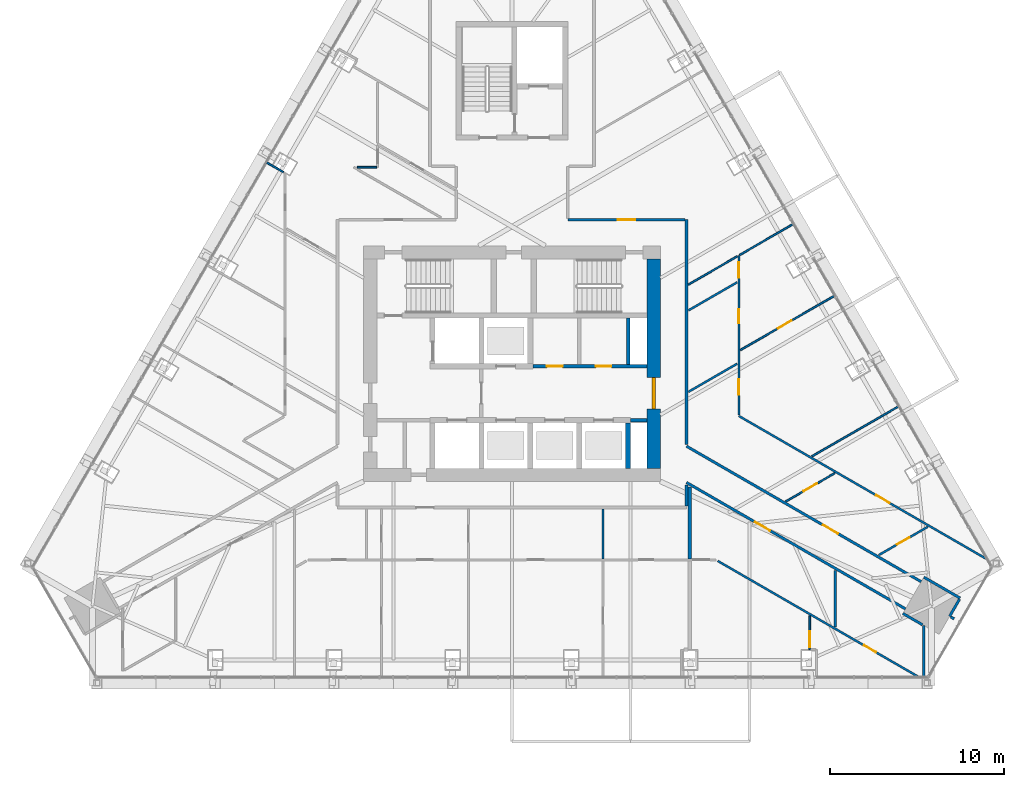
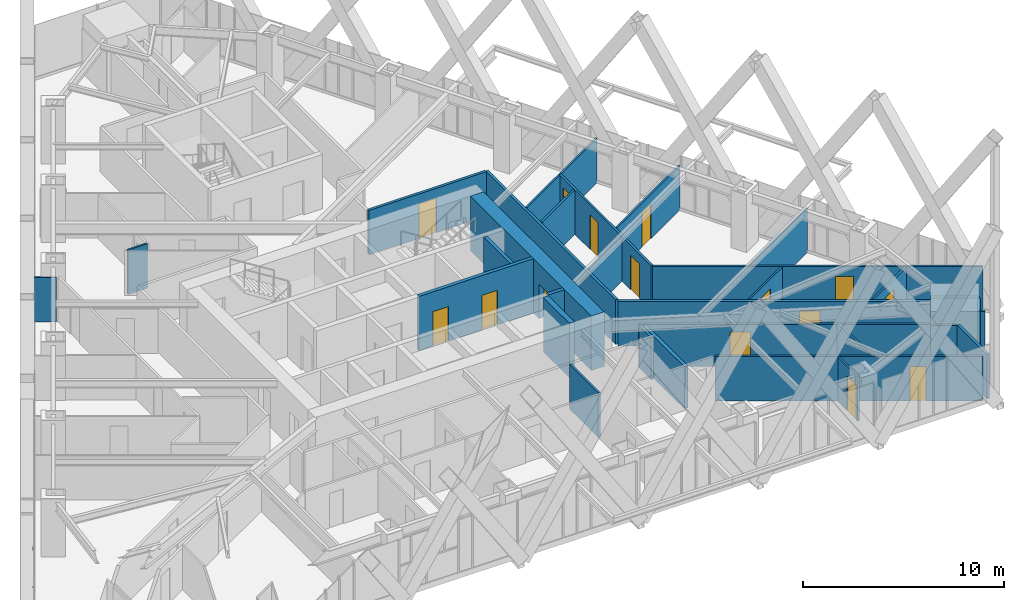
# One storey, part 20 of 24: 32 walls, 15 doors, 15 openings.
"""IFC4 building model written with IfcOpenShell, lengths in metres."""

from ifc_helpers import new_model, si_unit, direction, frame, frame_2d, origin, place, context, subcontext, project, spatial, rectangle, extrude, material, layer, layer_set, type_object, element, fill, save


model = new_model("IFC4")

# Units and contexts
model_context = context("Model", 3, precision=1e-05, world=origin(), true_north=direction((0.0, 1.0)))
body_context = subcontext(model_context, "Body", "Model", "MODEL_VIEW")
ifc_project = project(units=[si_unit("LENGTHUNIT", "METRE"), si_unit("AREAUNIT", "SQUARE_METRE"), si_unit("VOLUMEUNIT", "CUBIC_METRE"), si_unit("PLANEANGLEUNIT", "RADIAN"), si_unit("MASSUNIT", "GRAM", prefix="KILO")], contexts=[model_context])

# Site, building, storey
site_placement = place(None, origin())
site = spatial("IfcSite", under=ifc_project, at=site_placement, CompositionType="ELEMENT")
building_placement = place(site_placement, origin())
building = spatial("IfcBuilding", under=site, at=building_placement, Name="Firuza Gate Tower and Library", CompositionType="ELEMENT")
storey_placement = place(building_placement, frame((0.0, 0.0, 260.10009765625)))
storey = spatial("IfcBuildingStorey", under=building, at=storey_placement, Name="L61", CompositionType="ELEMENT", Elevation=260.10009765625)

# Wall
ifc_material_1 = material(Name="Plasterboard on steel studs", Category="steel")
ifc_layer_1 = layer(ifc_material_1, 0.199951171875)
ifc_layer_set_1 = layer_set([ifc_layer_1], Name="Core partition 200 EI 120")
wall_type_1 = type_object("IfcWallType", Name="Core partition 200 EI 120", PredefinedType="PARTITIONING", material=ifc_layer_set_1)
wall_1_placement = place(storey_placement, frame((81.800048828125, 71.75, 0.0), z_axis=(0.0, 0.0, 1.0), x_axis=(1.0, 0.0, 0.0)))
element("IfcWall", 1, at=wall_1_placement, inside=storey, type_object=wall_type_1, Name="Core partition L61 2", PredefinedType="PARTITIONING", context=body_context, shape_type="SweptSolid", body=[
    extrude(rectangle(XDim=0.949951171875, YDim=0.199951171875, at=frame_2d((0.47509765625, 0.0))), origin(), (0.0, 0.0, 1.0), 3.2998046875),
])

# Wall, openings, doors
wall_2_placement = place(storey_placement, frame((76.199951171875, 74.85009765625, 0.0), z_axis=(0.0, 0.0, 1.0), x_axis=(1.0, 0.0, 0.0)))
wall_2 = element("IfcWall", 2, at=wall_2_placement, inside=storey, type_object=wall_type_1, Name="Core partition L61 3", PredefinedType="PARTITIONING", context=body_context, shape_type="SweptSolid", body=[
    extrude(rectangle(XDim=6.550048828125, YDim=0.199951171875, at=frame_2d((3.27490234375, 0.0))), origin(), (0.0, 0.0, 1.0), 3.2998046875),
])
opening_1_placement = place(wall_2_placement, frame((0.800048828125, 0.0, 0.0)))
opening_1 = element("IfcOpeningElement", 3, at=opening_1_placement, cuts=wall_2, Name="Opening L61-K19", PredefinedType="OPENING", context=body_context, shape_type="SweptSolid", body=[
    extrude(rectangle(XDim=0.89990234375, YDim=2.10009765625, at=frame_2d((0.449951171875, 1.050048828125))), frame((0.0, 0.10986328125, 0.0), z_axis=(0.0, -1.0, 0.0), x_axis=(1.0, 0.0, 0.0)), (0.0, 0.0, 1.0), 0.219970703125),
])
opening_2_placement = place(wall_2_placement, frame((3.60009765625, 0.0, 0.0)))
opening_2 = element("IfcOpeningElement", 4, at=opening_2_placement, cuts=wall_2, Name="Opening L61-K20", PredefinedType="OPENING", context=body_context, shape_type="SweptSolid", body=[
    extrude(rectangle(XDim=0.89990234375, YDim=2.10009765625, at=frame_2d((0.449951171875, 1.050048828125))), frame((0.0, 0.10986328125, 0.0), z_axis=(0.0, -1.0, 0.0), x_axis=(1.0, 0.0, 0.0)), (0.0, 0.0, 1.0), 0.219970703125),
])
ifc_material_2 = material(Name="Steel", Category="steel")
door_type_1 = type_object("IfcDoorType", Name="Fire door 900x2100 FD30S", OperationType="NOTDEFINED", PredefinedType="DOOR", material=ifc_material_2)
door_1_placement = place(opening_1_placement, origin())
door_1 = element("IfcDoor", 5, at=door_1_placement, inside=storey, type_object=door_type_1, Name="Door L61-K19", OperationType="SINGLE_SWING_RIGHT", OverallHeight=2.10009765625, OverallWidth=0.89990234375, PredefinedType="DOOR", context=body_context, shape_type="SweptSolid", body=[
    extrude(rectangle(XDim=0.89990234375, YDim=2.10009765625, at=frame_2d((0.449951171875, 1.050048828125))), frame((0.0, 0.02490234375, 0.0), z_axis=(0.0, -1.0, 0.0), x_axis=(1.0, 0.0, 0.0)), (0.0, 0.0, 1.0), 0.050048828125),
])
fill(opening_1, door_1)
door_2_placement = place(opening_2_placement, origin())
door_2 = element("IfcDoor", 6, at=door_2_placement, inside=storey, type_object=door_type_1, Name="Door L61-K20", OperationType="SINGLE_SWING_LEFT", OverallHeight=2.10009765625, OverallWidth=0.89990234375, PredefinedType="DOOR", context=body_context, shape_type="SweptSolid", body=[
    extrude(rectangle(XDim=0.89990234375, YDim=2.10009765625, at=frame_2d((0.449951171875, 1.050048828125))), frame((0.0, 0.02490234375, 0.0), z_axis=(0.0, -1.0, 0.0), x_axis=(1.0, 0.0, 0.0)), (0.0, 0.0, 1.0), 0.050048828125),
])
fill(opening_2, door_2)

# Walls
wall_3_placement = place(storey_placement, frame((81.64990234375, 74.949951171875, 0.0), z_axis=(0.0, 0.0, 1.0), x_axis=(0.0, 1.0, 0.0)))
element("IfcWall", 7, at=wall_3_placement, inside=storey, type_object=wall_type_1, Name="Core partition L61 7", PredefinedType="PARTITIONING", context=body_context, shape_type="SweptSolid", body=[
    extrude(rectangle(XDim=2.650146484375, YDim=0.199951171875, at=frame_2d((1.3251953125, 0.0))), origin(), (0.0, 0.0, 1.0), 3.2998046875),
])
ifc_material_3 = material(Name="Concrete C60/75", Category="concrete")
ifc_layer_2 = layer(ifc_material_3, 0.300048828125)
ifc_layer_set_2 = layer_set([ifc_layer_2], Name="Core wall 300 C60/75")
wall_type_2 = type_object("IfcWallType", Name="Core wall 300 C60/75", PredefinedType="SHEAR", material=ifc_layer_set_2)
wall_4_placement = place(storey_placement, frame((81.64990234375, 69.0, 0.0), z_axis=(0.0, 0.0, 1.0), x_axis=(0.0, 1.0, 0.0)))
element("IfcWall", 8, at=wall_4_placement, inside=storey, type_object=wall_type_2, Name="Core wall L61 14", PredefinedType="SHEAR", context=body_context, shape_type="SweptSolid", body=[
    extrude(rectangle(XDim=2.60009765625, YDim=0.300048828125, at=frame_2d((1.300048828125, 0.0))), origin(), (0.0, 0.0, 1.0), 3.2998046875),
])

# Wall, opening, door
ifc_material_4 = material(Name="Concrete C60/75", Category="concrete")
ifc_layer_3 = layer(ifc_material_4, 0.75)
ifc_layer_set_3 = layer_set([ifc_layer_3], Name="Core wall 750 C60/75")
wall_type_3 = type_object("IfcWallType", Name="Core wall 750 C60/75", PredefinedType="SHEAR", material=ifc_layer_set_3)
wall_5_placement = place(storey_placement, frame((83.125, 69.0, 0.0), z_axis=(0.0, 0.0, 1.0), x_axis=(0.0, 1.0, 0.0)))
wall_5 = element("IfcWall", 9, at=wall_5_placement, inside=storey, type_object=wall_type_3, Name="Core wall L61 4", PredefinedType="SHEAR", context=body_context, shape_type="SweptSolid", body=[
    extrude(rectangle(XDim=12.0, YDim=0.75, at=frame_2d((6.0, 0.0))), origin(), (0.0, 0.0, 1.0), 3.2998046875),
])
opening_3_placement = place(wall_5_placement, frame((3.39990234375, 0.0, 0.0)))
opening_3 = element("IfcOpeningElement", 10, at=opening_3_placement, cuts=wall_5, Name="Opening L61-K16", PredefinedType="OPENING", context=body_context, shape_type="SweptSolid", body=[
    extrude(rectangle(XDim=1.800048828125, YDim=2.10009765625, at=frame_2d((0.89990234375, 1.050048828125))), frame((0.0, 0.385009765625, 0.0), z_axis=(0.0, -1.0, 0.0), x_axis=(1.0, 0.0, 0.0)), (0.0, 0.0, 1.0), 0.77001953125),
])
ifc_material_5 = material(Name="Steel", Category="steel")
door_type_2 = type_object("IfcDoorType", Name="Fire door 1800x2100 FD30S", OperationType="NOTDEFINED", PredefinedType="DOOR", material=ifc_material_5)
door_3_placement = place(opening_3_placement, origin())
door_3 = element("IfcDoor", 11, at=door_3_placement, inside=storey, type_object=door_type_2, Name="Door L61-K16", OperationType="SINGLE_SWING_LEFT", OverallHeight=2.10009765625, OverallWidth=1.800048828125, PredefinedType="DOOR", context=body_context, shape_type="SweptSolid", body=[
    extrude(rectangle(XDim=1.800048828125, YDim=2.10009765625, at=frame_2d((0.89990234375, 1.050048828125))), frame((0.0, 0.094970703125, 0.0), z_axis=(0.0, -1.0, 0.0), x_axis=(1.0, 0.0, 0.0)), (0.0, 0.0, 1.0), 0.18994140625),
])
fill(opening_3, door_3)

ifc_material_6 = material(Name="Gypsum board partition")
ifc_layer_4 = layer(ifc_material_6, 0.14990234375)
ifc_layer_set_4 = layer_set([ifc_layer_4], Name="Corridor wall 150 double board on steel studs")
wall_type_4 = type_object("IfcWallType", Name="Corridor wall 150 double board on steel studs", PredefinedType="PARTITIONING", material=ifc_layer_set_4)
wall_6_placement = place(storey_placement, frame((78.199951171875, 83.25, 0.0), z_axis=(0.0, 0.0, 1.0), x_axis=(1.0, 0.0, 0.0)))
wall_6 = element("IfcWall", 12, at=wall_6_placement, inside=storey, type_object=wall_type_4, Name="f:L61:w005", PredefinedType="PARTITIONING", context=body_context, shape_type="SweptSolid", body=[
    extrude(rectangle(XDim=6.724609375, YDim=0.14990234375, at=frame_2d((3.3623046875, 0.0))), origin(), (0.0, 0.0, 1.0), 2.699951171875),
])
opening_4_placement = place(wall_6_placement, frame((2.8623046875, 0.0, 0.0)))
opening_4 = element("IfcOpeningElement", 13, at=opening_4_placement, cuts=wall_6, Name="Opening L61-08", PredefinedType="OPENING", context=body_context, shape_type="SweptSolid", body=[
    extrude(rectangle(XDim=1.0, YDim=2.10009765625, at=frame_2d((0.5, 1.050048828125))), frame((0.0, 0.0849609375, 0.0), z_axis=(0.0, -1.0, 0.0), x_axis=(1.0, 0.0, 0.0)), (0.0, 0.0, 1.0), 0.169921875),
])
ifc_material_7 = material(Name="Steel door and timber leaf", Category="steel")
door_type_3 = type_object("IfcDoorType", Name="Fire door 1000 x 2100 steel frame, timber leaf", OperationType="NOTDEFINED", PredefinedType="DOOR", material=ifc_material_7)
door_4_placement = place(opening_4_placement, origin())
door_4 = element("IfcDoor", 14, at=door_4_placement, inside=storey, type_object=door_type_3, Name="f:L61:d008", OperationType="SINGLE_SWING_LEFT", OverallHeight=2.10009765625, OverallWidth=1.0, PredefinedType="DOOR", context=body_context, shape_type="SweptSolid", body=[
    extrude(rectangle(XDim=1.0, YDim=2.10009765625, at=frame_2d((0.5, 1.050048828125))), frame((0.0, 0.02490234375, 0.0), z_axis=(0.0, -1.0, 0.0), x_axis=(1.0, 0.0, 0.0)), (0.0, 0.0, 1.0), 0.050048828125),
])
fill(opening_4, door_4)

# Walls
wall_7_placement = place(storey_placement, frame((100.080078125, 60.52001953125, 0.0), z_axis=(0.0, 0.0, 1.0), x_axis=(0.500060622324, 0.86599040064, 0.0)))
element("IfcWall", 15, at=wall_7_placement, inside=storey, type_object=wall_type_4, Name="f:L61:w030", PredefinedType="PARTITIONING", context=body_context, shape_type="SweptSolid", body=[
    extrude(rectangle(XDim=1.124755859375, YDim=0.14990234375, at=frame_2d((0.5625, 0.0))), origin(), (0.0, 0.0, 1.0), 2.699951171875),
])
wall_8_placement = place(storey_placement, frame((98.60107421875, 57.042236328125, 0.0), z_axis=(0.0, 0.0, 1.0), x_axis=(0.0, 1.0, 0.0)))
element("IfcWall", 16, at=wall_8_placement, inside=storey, type_object=wall_type_4, Name="f:L61:w033", PredefinedType="PARTITIONING", context=body_context, shape_type="SweptSolid", body=[
    extrude(rectangle(XDim=2.9462890625, YDim=0.14990234375, at=frame_2d((1.47314453125, 0.0))), origin(), (0.0, 0.0, 1.0), 2.699951171875),
])
wall_9_placement = place(storey_placement, frame((85.0, 66.824951171875, 0.0), z_axis=(0.0, 0.0, 1.0), x_axis=(0.0, 1.0, 0.0)))
element("IfcWall", 17, at=wall_9_placement, inside=storey, type_object=wall_type_4, Name="f:L61:w039", PredefinedType="PARTITIONING", context=body_context, shape_type="SweptSolid", body=[
    extrude(rectangle(XDim=1.225830078125, YDim=0.14990234375, at=frame_2d((0.61279296875, 0.0))), origin(), (0.0, 0.0, 1.0), 2.546875),
])
wall_10_placement = place(storey_placement, frame((85.0, 70.352294921875, 0.0), z_axis=(0.0, 0.0, 1.0), x_axis=(0.0, 1.0, 0.0)))
element("IfcWall", 18, at=wall_10_placement, inside=storey, type_object=wall_type_4, Name="f:L61:w040", PredefinedType="PARTITIONING", context=body_context, shape_type="SweptSolid", body=[
    extrude(rectangle(XDim=12.897216796875, YDim=0.14990234375, at=frame_2d((6.44873046875, 0.0))), origin(), (0.0, 0.0, 1.0), 2.699951171875),
])
wall_11_placement = place(storey_placement, frame((100.680419921875, 61.55908203125, 0.0), z_axis=(0.0, 0.0, 1.0), x_axis=(-0.866024647952, 0.500001309137, 0.0)))
element("IfcWall", 19, at=wall_11_placement, inside=storey, type_object=wall_type_4, Name="f:L61:w070", PredefinedType="PARTITIONING", context=body_context, shape_type="SweptSolid", body=[
    extrude(rectangle(XDim=2.39990234375, YDim=0.14990234375, at=frame_2d((1.199951171875, 0.0))), origin(), (0.0, 0.0, 1.0), 2.699951171875),
])

# Wall, opening, door
wall_12_placement = place(storey_placement, frame((85.0, 70.265869140625, 0.0), z_axis=(0.0, 0.0, 1.0), x_axis=(0.866021473228, -0.500006807861, 0.0)))
wall_12 = element("IfcWall", 20, at=wall_12_placement, inside=storey, type_object=wall_type_4, Name="f:L61:w071", PredefinedType="PARTITIONING", context=body_context, shape_type="SweptSolid", body=[
    extrude(rectangle(XDim=15.532958984375, YDim=0.14990234375, at=frame_2d((7.7666015625, 0.0))), origin(), (0.0, 0.0, 1.0), 2.699951171875),
])
opening_5_placement = place(wall_12_placement, frame((9.02880859375, 0.0, 0.0)))
opening_5 = element("IfcOpeningElement", 21, at=opening_5_placement, cuts=wall_12, Name="Opening L61-32", PredefinedType="OPENING", context=body_context, shape_type="SweptSolid", body=[
    extrude(rectangle(XDim=1.0, YDim=2.10009765625, at=frame_2d((0.5, 1.050048828125))), frame((0.0, 0.0849609375, 0.0), z_axis=(0.0, -1.0, 0.0), x_axis=(1.0, 0.0, 0.0)), (0.0, 0.0, 1.0), 0.169921875),
])
door_5_placement = place(opening_5_placement, origin())
door_5 = element("IfcDoor", 22, at=door_5_placement, inside=storey, type_object=door_type_3, Name="f:L61:d032", OperationType="SINGLE_SWING_LEFT", OverallHeight=2.10009765625, OverallWidth=1.0, PredefinedType="DOOR", context=body_context, shape_type="SweptSolid", body=[
    extrude(rectangle(XDim=1.0, YDim=2.10009765625, at=frame_2d((0.5, 1.050048828125))), frame((0.0, 0.02490234375, 0.0), z_axis=(0.0, -1.0, 0.0), x_axis=(1.0, 0.0, 0.0)), (0.0, 0.0, 1.0), 0.050048828125),
])
fill(opening_5, door_5)

# Wall
wall_13_placement = place(storey_placement, frame((100.34033203125, 60.369873046875, 0.0), z_axis=(0.0, 0.0, 1.0), x_axis=(-0.866167537795, 0.499753735824, 0.0)))
element("IfcWall", 23, at=wall_13_placement, inside=storey, type_object=wall_type_4, Name="f:L61:w073", PredefinedType="PARTITIONING", context=body_context, shape_type="SweptSolid", body=[
    extrude(rectangle(XDim=0.22509765625, YDim=0.14990234375, at=frame_2d((0.112548828125, 0.0))), origin(), (0.0, 0.0, 1.0), 2.699951171875),
])

# Wall, opening, door
wall_14_placement = place(storey_placement, frame((97.552001953125, 60.9404296875, 0.0), z_axis=(0.0, 0.0, 1.0), x_axis=(-0.866027660432, 0.499996091351, 0.0)))
wall_14 = element("IfcWall", 24, at=wall_14_placement, inside=storey, type_object=wall_type_4, Name="f:L61:w074", PredefinedType="PARTITIONING", context=body_context, shape_type="SweptSolid", body=[
    extrude(rectangle(XDim=14.49365234375, YDim=0.14990234375, at=frame_2d((7.246826171875, 0.0))), origin(), (0.0, 0.0, 1.0), 2.546875),
])
opening_6_placement = place(wall_14_placement, frame((8.954833984375, 0.0, 0.0)))
opening_6 = element("IfcOpeningElement", 25, at=opening_6_placement, cuts=wall_14, Name="Opening L61-34", PredefinedType="OPENING", context=body_context, shape_type="SweptSolid", body=[
    extrude(rectangle(XDim=1.0, YDim=2.10009765625, at=frame_2d((0.5, 1.050048828125))), frame((0.0, 0.0849609375, 0.0), z_axis=(0.0, -1.0, 0.0), x_axis=(1.0, 0.0, 0.0)), (0.0, 0.0, 1.0), 0.169921875),
])
door_6_placement = place(opening_6_placement, origin())
door_6 = element("IfcDoor", 26, at=door_6_placement, inside=storey, type_object=door_type_3, Name="f:L61:d034", OperationType="SINGLE_SWING_LEFT", OverallHeight=2.10009765625, OverallWidth=1.0, PredefinedType="DOOR", context=body_context, shape_type="SweptSolid", body=[
    extrude(rectangle(XDim=1.0, YDim=2.10009765625, at=frame_2d((0.5, 1.050048828125))), frame((0.0, 0.02490234375, 0.0), z_axis=(0.0, -1.0, 0.0), x_axis=(1.0, 0.0, 0.0)), (0.0, 0.0, 1.0), 0.050048828125),
])
fill(opening_6, door_6)

# Walls
wall_15_placement = place(storey_placement, frame((98.525634765625, 60.031982421875, 0.0), z_axis=(0.0, 0.0, 1.0), x_axis=(-0.866069663658, 0.499923331814, 0.0)))
element("IfcWall", 27, at=wall_15_placement, inside=storey, type_object=wall_type_4, Name="f:L61:w075", PredefinedType="PARTITIONING", context=body_context, shape_type="SweptSolid", body=[
    extrude(rectangle(XDim=1.297607421875, YDim=0.14990234375, at=frame_2d((0.64892578125, 0.0))), origin(), (0.0, 0.0, 1.0), 2.699951171875),
])
ifc_material_8 = material(Name="Gypsum board partition")
ifc_layer_5 = layer(ifc_material_8, 0.199951171875)
ifc_layer_set_5 = layer_set([ifc_layer_5], Name="Demising wall 200 acoustic double stud")
wall_type_5 = type_object("IfcWallType", Name="Demising wall 200 acoustic double stud", PredefinedType="PARTITIONING", material=ifc_layer_set_5)
wall_16_placement = place(storey_placement, frame((85.199951171875, 63.81005859375, 0.0), z_axis=(0.0, 0.0, 1.0), x_axis=(0.0, 1.0, 0.0)))
element("IfcWall", 28, at=wall_16_placement, inside=storey, type_object=wall_type_5, Name="f:L61:w083", PredefinedType="PARTITIONING", context=body_context, shape_type="SweptSolid", body=[
    extrude(rectangle(XDim=4.115234375, YDim=0.199951171875, at=frame_2d((2.0576171875, 0.0))), origin(), (0.0, 0.0, 1.0), 2.546875),
])
ifc_material_9 = material(Name="Gypsum board partition")
ifc_layer_6 = layer(ifc_material_9, 0.10009765625)
ifc_layer_set_6 = layer_set([ifc_layer_6], Name="Partition 100 gypsum board on steel studs")
wall_type_6 = type_object("IfcWallType", Name="Partition 100 gypsum board on steel studs", PredefinedType="PARTITIONING", material=ifc_layer_set_6)
wall_17_placement = place(storey_placement, frame((66.133056640625, 86.25, 0.0), z_axis=(0.0, 0.0, 1.0), x_axis=(1.0, 0.0, 0.0)))
element("IfcWall", 29, at=wall_17_placement, inside=storey, type_object=wall_type_6, Name="f:L61:w006", PredefinedType="PARTITIONING", context=body_context, shape_type="SweptSolid", body=[
    extrude(rectangle(XDim=1.1064453125, YDim=0.10009765625, at=frame_2d((0.55322265625, 0.0))), origin(), (0.0, 0.0, 1.0), 2.699951171875),
])

# Wall, opening, door
wall_18_placement = place(storey_placement, frame((90.68994140625, 67.097412109375, 0.0), z_axis=(0.0, 0.0, 1.0), x_axis=(0.86605167102, 0.499954501053, 0.0)))
wall_18 = element("IfcWall", 30, at=wall_18_placement, inside=storey, type_object=wall_type_6, Name="f:L61:w014", PredefinedType="PARTITIONING", context=body_context, shape_type="SweptSolid", body=[
    extrude(rectangle(XDim=3.248291015625, YDim=0.10009765625, at=frame_2d((1.6240234375, 0.0))), origin(), (0.0, 0.0, 1.0), 2.699951171875),
])
opening_7_placement = place(wall_18_placement, frame((1.174072265625, 0.0, 0.0)))
opening_7 = element("IfcOpeningElement", 31, at=opening_7_placement, cuts=wall_18, Name="Opening L61-12", PredefinedType="OPENING", context=body_context, shape_type="SweptSolid", body=[
    extrude(rectangle(XDim=0.89990234375, YDim=2.10009765625, at=frame_2d((0.449951171875, 1.050048828125))), frame((0.0, 0.06005859375, 0.0), z_axis=(0.0, -1.0, 0.0), x_axis=(1.0, 0.0, 0.0)), (0.0, 0.0, 1.0), 0.1201171875),
])
ifc_material_10 = material(Name="Timber door", Category="wood")
door_type_4 = type_object("IfcDoorType", Name="Door 900 x 2100 timber leaf", OperationType="NOTDEFINED", PredefinedType="DOOR", material=ifc_material_10)
door_7_placement = place(opening_7_placement, origin())
door_7 = element("IfcDoor", 32, at=door_7_placement, inside=storey, type_object=door_type_4, Name="f:L61:d012", OperationType="SINGLE_SWING_LEFT", OverallHeight=2.10009765625, OverallWidth=0.89990234375, PredefinedType="DOOR", context=body_context, shape_type="SweptSolid", body=[
    extrude(rectangle(XDim=0.89990234375, YDim=2.10009765625, at=frame_2d((0.449951171875, 1.050048828125))), frame((0.0, 0.02490234375, 0.0), z_axis=(0.0, -1.0, 0.0), x_axis=(1.0, 0.0, 0.0)), (0.0, 0.0, 1.0), 0.050048828125),
])
fill(opening_7, door_7)

# Wall
wall_19_placement = place(storey_placement, frame((92.185791015625, 69.68017578125, 0.0), z_axis=(0.0, 0.0, 1.0), x_axis=(0.866023225157, 0.500003773474, 0.0)))
element("IfcWall", 33, at=wall_19_placement, inside=storey, type_object=wall_type_6, Name="f:L61:w015", PredefinedType="PARTITIONING", context=body_context, shape_type="SweptSolid", body=[
    extrude(rectangle(XDim=5.734375, YDim=0.10009765625, at=frame_2d((2.8671875, 0.0))), origin(), (0.0, 0.0, 1.0), 2.68798828125),
])

# Wall, opening, door
wall_20_placement = place(storey_placement, frame((88.086181640625, 75.772705078125, 0.0), z_axis=(0.0, 0.0, 1.0), x_axis=(0.86602136159, 0.500007001221, 0.0)))
wall_20 = element("IfcWall", 34, at=wall_20_placement, inside=storey, type_object=wall_type_6, Name="f:L61:w017", PredefinedType="PARTITIONING", context=body_context, shape_type="SweptSolid", body=[
    extrude(rectangle(XDim=6.23876953125, YDim=0.10009765625, at=frame_2d((3.119384765625, 0.0))), origin(), (0.0, 0.0, 1.0), 2.68798828125),
])
opening_8_placement = place(wall_20_placement, frame((2.4892578125, 0.0, 0.0)))
opening_8 = element("IfcOpeningElement", 35, at=opening_8_placement, cuts=wall_20, Name="Opening L61-13", PredefinedType="OPENING", context=body_context, shape_type="SweptSolid", body=[
    extrude(rectangle(XDim=0.89990234375, YDim=2.10009765625, at=frame_2d((0.449951171875, 1.050048828125))), frame((0.0, 0.06005859375, 0.0), z_axis=(0.0, -1.0, 0.0), x_axis=(1.0, 0.0, 0.0)), (0.0, 0.0, 1.0), 0.1201171875),
])
door_8_placement = place(opening_8_placement, origin())
door_8 = element("IfcDoor", 36, at=door_8_placement, inside=storey, type_object=door_type_4, Name="f:L61:d013", OperationType="SINGLE_SWING_LEFT", OverallHeight=2.10009765625, OverallWidth=0.89990234375, PredefinedType="DOOR", context=body_context, shape_type="SweptSolid", body=[
    extrude(rectangle(XDim=0.89990234375, YDim=2.10009765625, at=frame_2d((0.449951171875, 1.050048828125))), frame((0.0, 0.02490234375, 0.0), z_axis=(0.0, -1.0, 0.0), x_axis=(1.0, 0.0, 0.0)), (0.0, 0.0, 1.0), 0.050048828125),
])
fill(opening_8, door_8)

# Wall
wall_21_placement = place(storey_placement, frame((85.100830078125, 79.5234375, 0.0), z_axis=(0.0, 0.0, 1.0), x_axis=(0.866029195513, 0.499993432475, 0.0)))
element("IfcWall", 37, at=wall_21_placement, inside=storey, type_object=wall_type_6, Name="f:L61:w022", PredefinedType="PARTITIONING", context=body_context, shape_type="SweptSolid", body=[
    extrude(rectangle(XDim=3.24951171875, YDim=0.10009765625, at=frame_2d((1.624755859375, 0.0))), origin(), (0.0, 0.0, 1.0), 2.699951171875),
])

# Wall, opening, door
wall_22_placement = place(storey_placement, frame((92.06396484375, 60.54541015625, 0.0), z_axis=(0.0, 0.0, 1.0), x_axis=(0.0, -1.0, 0.0)))
wall_22 = element("IfcWall", 38, at=wall_22_placement, inside=storey, type_object=wall_type_6, Name="f:L61:w036", PredefinedType="PARTITIONING", context=body_context, shape_type="SweptSolid", body=[
    extrude(rectangle(XDim=1.943359375, YDim=0.10009765625, at=frame_2d((0.9716796875, 0.0))), origin(), (0.0, 0.0, 1.0), 2.699951171875),
])
opening_9_placement = place(wall_22_placement, frame((0.893310546875, 0.0, 0.0)))
opening_9 = element("IfcOpeningElement", 39, at=opening_9_placement, cuts=wall_22, Name="Opening L61-18", PredefinedType="OPENING", context=body_context, shape_type="SweptSolid", body=[
    extrude(rectangle(XDim=0.89990234375, YDim=2.10009765625, at=frame_2d((0.449951171875, 1.050048828125))), frame((0.0, 0.06005859375, 0.0), z_axis=(0.0, -1.0, 0.0), x_axis=(1.0, 0.0, 0.0)), (0.0, 0.0, 1.0), 0.1201171875),
])
door_9_placement = place(opening_9_placement, origin())
door_9 = element("IfcDoor", 40, at=door_9_placement, inside=storey, type_object=door_type_4, Name="f:L61:d018", OperationType="SINGLE_SWING_RIGHT", OverallHeight=2.10009765625, OverallWidth=0.89990234375, PredefinedType="DOOR", context=body_context, shape_type="SweptSolid", body=[
    extrude(rectangle(XDim=0.89990234375, YDim=2.10009765625, at=frame_2d((0.449951171875, 1.050048828125))), frame((0.0, 0.02490234375, 0.0), z_axis=(0.0, -1.0, 0.0), x_axis=(1.0, 0.0, 0.0)), (0.0, 0.0, 1.0), 0.050048828125),
])
fill(opening_9, door_9)

# Walls
wall_23_placement = place(storey_placement, frame((61.901123046875, 85.96923828125, 0.0), z_axis=(0.0, 0.0, 1.0), x_axis=(-0.866106388984, 0.499859703278, 0.0)))
element("IfcWall", 41, at=wall_23_placement, inside=storey, type_object=wall_type_6, Name="f:L61:w069", PredefinedType="PARTITIONING", context=body_context, shape_type="SweptSolid", body=[
    extrude(rectangle(XDim=1.129150390625, YDim=0.10009765625, at=frame_2d((0.564453125, 0.0))), origin(), (0.0, 0.0, 1.0), 2.68798828125),
])
wall_24_placement = place(storey_placement, frame((88.044677734375, 81.22314453125, 0.0), z_axis=(0.0, 0.0, 1.0), x_axis=(0.866020634781, 0.500008260065, 0.0)))
element("IfcWall", 42, at=wall_24_placement, inside=storey, type_object=wall_type_6, Name="f:L61:w084", PredefinedType="PARTITIONING", context=body_context, shape_type="SweptSolid", body=[
    extrude(rectangle(XDim=3.54931640625, YDim=0.10009765625, at=frame_2d((1.774658203125, 0.0))), origin(), (0.0, 0.0, 1.0), 2.68798828125),
])

# Wall, opening, door
ifc_material_11 = material(Name="Gypsum board partition")
ifc_layer_7 = layer(ifc_material_11, 0.1201171875)
ifc_layer_set_7 = layer_set([ifc_layer_7], Name="Wet-area partition 120 moisture-resistant board")
wall_type_7 = type_object("IfcWallType", Name="Wet-area partition 120 moisture-resistant board", PredefinedType="PARTITIONING", material=ifc_layer_set_7)
wall_25_placement = place(storey_placement, frame((98.820068359375, 65.641357421875, 0.0), z_axis=(0.0, 0.0, 1.0), x_axis=(-0.866033195618, -0.499986503906, 0.0)))
wall_25 = element("IfcWall", 43, at=wall_25_placement, inside=storey, type_object=wall_type_7, Name="f:L61:w013", PredefinedType="PARTITIONING", context=body_context, shape_type="SweptSolid", body=[
    extrude(rectangle(XDim=3.22802734375, YDim=0.1201171875, at=frame_2d((1.614013671875, 0.0))), origin(), (0.0, 0.0, 1.0), 2.699951171875),
])
opening_10_placement = place(wall_25_placement, frame((1.214111328125, 0.0, 0.0)))
opening_10 = element("IfcOpeningElement", 44, at=opening_10_placement, cuts=wall_25, Name="Opening L61-11", PredefinedType="OPENING", context=body_context, shape_type="SweptSolid", body=[
    extrude(rectangle(XDim=0.800048828125, YDim=2.10009765625, at=frame_2d((0.39990234375, 1.050048828125))), frame((0.0, 0.070068359375, 0.0), z_axis=(0.0, -1.0, 0.0), x_axis=(1.0, 0.0, 0.0)), (0.0, 0.0, 1.0), 0.14013671875),
])
ifc_material_12 = material(Name="Timber door", Category="wood")
door_type_5 = type_object("IfcDoorType", Name="Door 800 x 2100 timber leaf", OperationType="NOTDEFINED", PredefinedType="DOOR", material=ifc_material_12)
door_10_placement = place(opening_10_placement, origin())
door_10 = element("IfcDoor", 45, at=door_10_placement, inside=storey, type_object=door_type_5, Name="f:L61:d011", OperationType="SINGLE_SWING_RIGHT", OverallHeight=2.10009765625, OverallWidth=0.800048828125, PredefinedType="DOOR", context=body_context, shape_type="SweptSolid", body=[
    extrude(rectangle(XDim=0.800048828125, YDim=2.10009765625, at=frame_2d((0.39990234375, 1.050048828125))), frame((0.0, 0.02490234375, 0.0), z_axis=(0.0, -1.0, 0.0), x_axis=(1.0, 0.0, 0.0)), (0.0, 0.0, 1.0), 0.050048828125),
])
fill(opening_10, door_10)

# Walls
wall_26_placement = place(storey_placement, frame((85.109619140625, 73.378662109375, 0.0), z_axis=(0.0, 0.0, 1.0), x_axis=(0.866000447062, 0.500043223821, 0.0)))
element("IfcWall", 46, at=wall_26_placement, inside=storey, type_object=wall_type_7, Name="f:L61:w016", PredefinedType="PARTITIONING", context=body_context, shape_type="SweptSolid", body=[
    extrude(rectangle(XDim=3.228271484375, YDim=0.1201171875, at=frame_2d((1.6142578125, 0.0))), origin(), (0.0, 0.0, 1.0), 2.699951171875),
])
for number, where, z_axis, x_axis, name in (
    (47, (85.109375, 78.0458984375, 0.0), (0.0, 0.0, 1.0), (0.866033195618, 0.499986503906, 0.0), "f:L61:w020"),
    (48, (93.527099609375, 59.909423828125, 0.0), (0.0, 0.0, 1.0), (0.0, 1.0, 0.0), "f:L61:w034"),
):
    element("IfcWall", number, at=place(storey_placement, frame(where, z_axis=z_axis, x_axis=x_axis)), inside=storey, type_object=wall_type_7, Name=name, PredefinedType="PARTITIONING", context=body_context, shape_type="SweptSolid", body=[
        extrude(rectangle(XDim=3.22802734375, YDim=0.1201171875, at=frame_2d((1.614013671875, 0.0))), origin(), (0.0, 0.0, 1.0), 2.699951171875),
    ])

# Wall, openings, doors
wall_27_placement = place(storey_placement, frame((88.0, 72.067138671875, 0.0), z_axis=(0.0, 0.0, 1.0), x_axis=(0.0, 1.0, 0.0)))
wall_27 = element("IfcWall", 49, at=wall_27_placement, inside=storey, type_object=wall_type_7, Name="f:L61:w037", PredefinedType="PARTITIONING", context=body_context, shape_type="SweptSolid", body=[
    extrude(rectangle(XDim=9.129638671875, YDim=0.1201171875, at=frame_2d((4.56494140625, 0.0))), origin(), (0.0, 0.0, 1.0), 2.699951171875),
])
opening_11_placement = place(wall_27_placement, frame((1.141845703125, 0.0, 0.0)))
opening_11 = element("IfcOpeningElement", 50, at=opening_11_placement, cuts=wall_27, Name="Opening L61-19", PredefinedType="OPENING", context=body_context, shape_type="SweptSolid", body=[
    extrude(rectangle(XDim=0.89990234375, YDim=2.10009765625, at=frame_2d((0.449951171875, 1.050048828125))), frame((0.0, 0.070068359375, 0.0), z_axis=(0.0, -1.0, 0.0), x_axis=(1.0, 0.0, 0.0)), (0.0, 0.0, 1.0), 0.14013671875),
])
opening_12_placement = place(wall_27_placement, frame((5.250244140625, 0.0, 0.0)))
opening_12 = element("IfcOpeningElement", 51, at=opening_12_placement, cuts=wall_27, Name="Opening L61-20", PredefinedType="OPENING", context=body_context, shape_type="SweptSolid", body=[
    extrude(rectangle(XDim=0.800048828125, YDim=2.10009765625, at=frame_2d((0.39990234375, 1.050048828125))), frame((0.0, 0.070068359375, 0.0), z_axis=(0.0, -1.0, 0.0), x_axis=(1.0, 0.0, 0.0)), (0.0, 0.0, 1.0), 0.14013671875),
])
opening_13_placement = place(wall_27_placement, frame((7.83837890625, 0.0, 0.0)))
opening_13 = element("IfcOpeningElement", 52, at=opening_13_placement, cuts=wall_27, Name="Opening L61-21", PredefinedType="OPENING", context=body_context, shape_type="SweptSolid", body=[
    extrude(rectangle(XDim=0.89990234375, YDim=2.10009765625, at=frame_2d((0.449951171875, 1.050048828125))), frame((0.0, 0.070068359375, 0.0), z_axis=(0.0, -1.0, 0.0), x_axis=(1.0, 0.0, 0.0)), (0.0, 0.0, 1.0), 0.14013671875),
])
door_11_placement = place(opening_12_placement, origin())
door_11 = element("IfcDoor", 53, at=door_11_placement, inside=storey, type_object=door_type_5, Name="f:L61:d020", OperationType="SINGLE_SWING_LEFT", OverallHeight=2.10009765625, OverallWidth=0.800048828125, PredefinedType="DOOR", context=body_context, shape_type="SweptSolid", body=[
    extrude(rectangle(XDim=0.800048828125, YDim=2.10009765625, at=frame_2d((0.39990234375, 1.050048828125))), frame((0.0, 0.02490234375, 0.0), z_axis=(0.0, -1.0, 0.0), x_axis=(1.0, 0.0, 0.0)), (0.0, 0.0, 1.0), 0.050048828125),
])
fill(opening_12, door_11)
door_12_placement = place(opening_11_placement, origin())
door_12 = element("IfcDoor", 54, at=door_12_placement, inside=storey, type_object=door_type_4, Name="f:L61:d019", OperationType="SINGLE_SWING_RIGHT", OverallHeight=2.10009765625, OverallWidth=0.89990234375, PredefinedType="DOOR", context=body_context, shape_type="SweptSolid", body=[
    extrude(rectangle(XDim=0.89990234375, YDim=2.10009765625, at=frame_2d((0.449951171875, 1.050048828125))), frame((0.0, 0.02490234375, 0.0), z_axis=(0.0, -1.0, 0.0), x_axis=(1.0, 0.0, 0.0)), (0.0, 0.0, 1.0), 0.050048828125),
])
fill(opening_11, door_12)
door_13_placement = place(opening_13_placement, origin())
door_13 = element("IfcDoor", 55, at=door_13_placement, inside=storey, type_object=door_type_4, Name="f:L61:d021", OperationType="SINGLE_SWING_RIGHT", OverallHeight=2.10009765625, OverallWidth=0.89990234375, PredefinedType="DOOR", context=body_context, shape_type="SweptSolid", body=[
    extrude(rectangle(XDim=0.89990234375, YDim=2.10009765625, at=frame_2d((0.449951171875, 1.050048828125))), frame((0.0, 0.02490234375, 0.0), z_axis=(0.0, -1.0, 0.0), x_axis=(1.0, 0.0, 0.0)), (0.0, 0.0, 1.0), 0.050048828125),
])
fill(opening_13, door_13)

# Wall, opening, door
wall_28_placement = place(storey_placement, frame((88.0, 71.997802734375, 0.0), z_axis=(0.0, 0.0, 1.0), x_axis=(0.866029666338, -0.499992616969, 0.0)))
wall_28 = element("IfcWall", 56, at=wall_28_placement, inside=storey, type_object=wall_type_7, Name="f:L61:w068", PredefinedType="PARTITIONING", context=body_context, shape_type="SweptSolid", body=[
    extrude(rectangle(XDim=16.401123046875, YDim=0.1201171875, at=frame_2d((8.20068359375, 0.0))), origin(), (0.0, 0.0, 1.0), 2.699951171875),
])
opening_14_placement = place(wall_28_placement, frame((9.078369140625, 0.0, 0.0)))
opening_14 = element("IfcOpeningElement", 57, at=opening_14_placement, cuts=wall_28, Name="Opening L61-31", PredefinedType="OPENING", context=body_context, shape_type="SweptSolid", body=[
    extrude(rectangle(XDim=0.89990234375, YDim=2.10009765625, at=frame_2d((0.449951171875, 1.050048828125))), frame((0.0, 0.070068359375, 0.0), z_axis=(0.0, -1.0, 0.0), x_axis=(1.0, 0.0, 0.0)), (0.0, 0.0, 1.0), 0.14013671875),
])
door_14_placement = place(opening_14_placement, origin())
door_14 = element("IfcDoor", 58, at=door_14_placement, inside=storey, type_object=door_type_4, Name="f:L61:d031", OperationType="SINGLE_SWING_LEFT", OverallHeight=2.10009765625, OverallWidth=0.89990234375, PredefinedType="DOOR", context=body_context, shape_type="SweptSolid", body=[
    extrude(rectangle(XDim=0.89990234375, YDim=2.10009765625, at=frame_2d((0.449951171875, 1.050048828125))), frame((0.0, 0.02490234375, 0.0), z_axis=(0.0, -1.0, 0.0), x_axis=(1.0, 0.0, 0.0)), (0.0, 0.0, 1.0), 0.050048828125),
])
fill(opening_14, door_14)

wall_29_placement = place(storey_placement, frame((86.78955078125, 63.690185546875, 0.0), z_axis=(0.0, 0.0, 1.0), x_axis=(0.866026581292, -0.499997960491, 0.0)))
wall_29 = element("IfcWall", 59, at=wall_29_placement, inside=storey, type_object=wall_type_7, Name="f:L61:w078", PredefinedType="PARTITIONING", context=body_context, shape_type="SweptSolid", body=[
    extrude(rectangle(XDim=13.2958984375, YDim=0.1201171875, at=frame_2d((6.64794921875, 0.0))), origin(), (0.0, 0.0, 1.0), 2.699951171875),
])
opening_15_placement = place(wall_29_placement, frame((9.677734375, 0.0, 0.0)))
opening_15 = element("IfcOpeningElement", 60, at=opening_15_placement, cuts=wall_29, Name="Opening L61-35", PredefinedType="OPENING", context=body_context, shape_type="SweptSolid", body=[
    extrude(rectangle(XDim=0.800048828125, YDim=2.10009765625, at=frame_2d((0.39990234375, 1.050048828125))), frame((0.0, 0.070068359375, 0.0), z_axis=(0.0, -1.0, 0.0), x_axis=(1.0, 0.0, 0.0)), (0.0, 0.0, 1.0), 0.14013671875),
])
door_15_placement = place(opening_15_placement, origin())
door_15 = element("IfcDoor", 61, at=door_15_placement, inside=storey, type_object=door_type_5, Name="f:L61:d035", OperationType="SINGLE_SWING_LEFT", OverallHeight=2.10009765625, OverallWidth=0.800048828125, PredefinedType="DOOR", context=body_context, shape_type="SweptSolid", body=[
    extrude(rectangle(XDim=0.800048828125, YDim=2.10009765625, at=frame_2d((0.39990234375, 1.050048828125))), frame((0.0, 0.02490234375, 0.0), z_axis=(0.0, -1.0, 0.0), x_axis=(1.0, 0.0, 0.0)), (0.0, 0.0, 1.0), 0.050048828125),
])
fill(opening_15, door_15)

# Wall
wall_30_placement = place(storey_placement, frame((80.212890625, 63.81005859375, 0.0), z_axis=(0.0, 0.0, 1.0), x_axis=(0.0, 1.0, 0.0)))
element("IfcWall", 62, at=wall_30_placement, inside=storey, type_object=wall_type_7, Name="f:L61:w087", PredefinedType="PARTITIONING", context=body_context, shape_type="SweptSolid", body=[
    extrude(rectangle(XDim=2.864990234375, YDim=0.1201171875, at=frame_2d((1.4326171875, 0.0))), origin(), (0.0, 0.0, 1.0), 2.699951171875),
])

save(model, "model.ifc")
